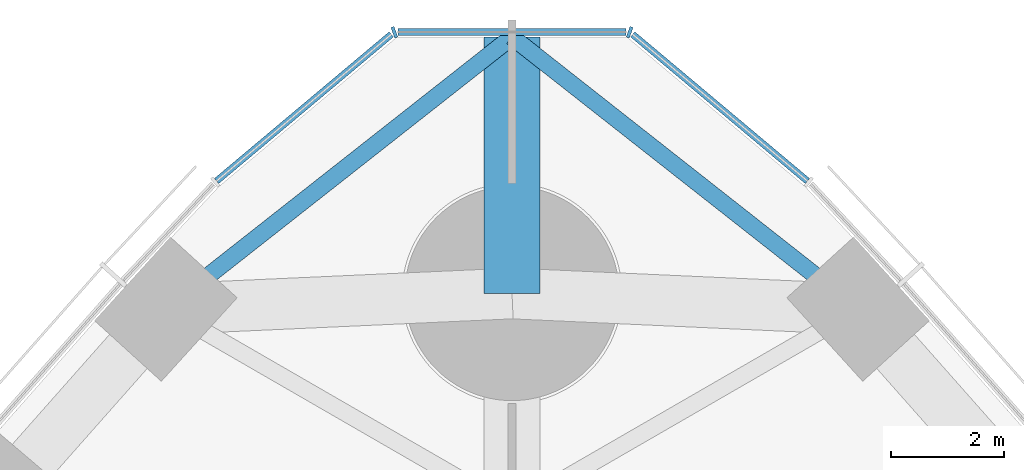
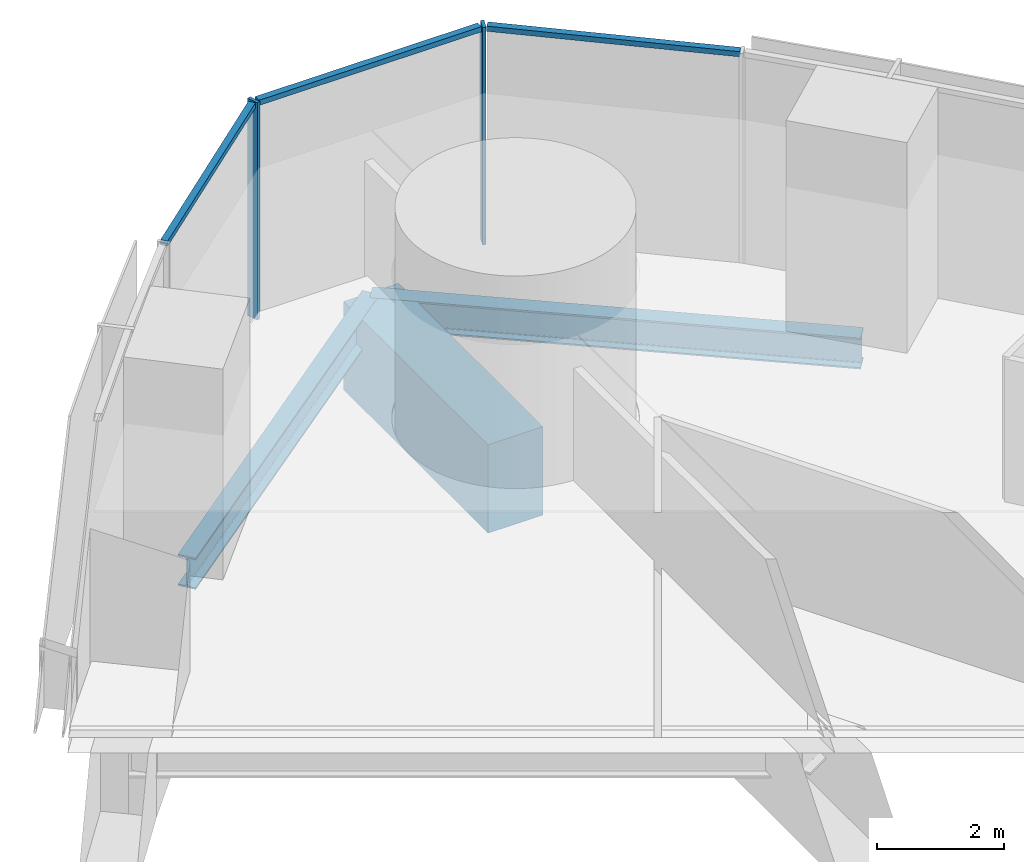
# One storey, part 8 of 19: 5 members, 3 beams, 1 element without a shape of its own.
"""IFC4 building model written with IfcOpenShell, lengths in metres."""

import ifcopenshell
import ifcopenshell.guid

model = None  # the IFC model being written
_history = None  # IfcOwnerHistory: only IFC2X3 demands one
_inside = {}  # id of a spatial element -> (the spatial element, [elements in it])
_under = {}  # id of a project, library or spatial element -> (it, [spatial elements below it])
_declared = {}  # id of a project -> (the project, [libraries it declares])
_typed = {}  # id of a type object -> (the type object, [elements of that type])
_made_of = {}  # id of a material, layer set ... -> (it, [elements and type objects made of it])


def new_model(schema):
    """Start an empty IFC model of exactly this schema.

    Asked for "IFC4X3", IfcOpenShell would pick the latest addendum, in which some entities
    have other attributes; the version numbers below select the first issue.
    IFC2X3 requires an IfcOwnerHistory on every rooted entity: one is made here for all.
    """
    global model, _history
    if schema == "IFC4X3":
        model = ifcopenshell.file(schema_version=(4, 3, 0, 0))
    else:
        model = ifcopenshell.file(schema=schema)
    _inside.clear()
    _under.clear()
    _declared.clear()
    _typed.clear()
    _made_of.clear()
    _history = None
    if model.schema == "IFC2X3":
        org = make("IfcOrganization", Name="unknown")
        user = make(
            "IfcPersonAndOrganization",
            ThePerson=make("IfcPerson", FamilyName="unknown"),
            TheOrganization=org,
        )
        app = make(
            "IfcApplication",
            ApplicationDeveloper=org,
            Version="unknown",
            ApplicationFullName="unknown",
            ApplicationIdentifier="unknown",
        )
        _history = make(
            "IfcOwnerHistory",
            OwningUser=user,
            OwningApplication=app,
            ChangeAction="ADDED",
            CreationDate=0,
        )
    return model


def make(cls, **values):
    """One entity of the class cls with the attributes given. An attribute that is None is left unset."""
    return model.create_entity(
        cls, **{name: value for name, value in values.items() if value is not None}
    )


def rooted(cls, **values):
    """An entity with a GlobalId (a new one), such as an element, a storey or a relation."""
    return make(cls, GlobalId=ifcopenshell.guid.new(), OwnerHistory=_history, **values)


def si_unit(unit_type, name, prefix=None):
    """IfcSIUnit, for example si_unit("LENGTHUNIT", "METRE", prefix="MILLI")."""
    return make("IfcSIUnit", UnitType=unit_type, Prefix=prefix, Name=name)


def assignment(units):
    """IfcUnitAssignment: the units of a project."""
    return None if units is None else make("IfcUnitAssignment", Units=units)


def point(xyz):
    """IfcCartesianPoint."""
    return None if xyz is None else make("IfcCartesianPoint", Coordinates=xyz)


def direction(xyz):
    """IfcDirection."""
    return None if xyz is None else make("IfcDirection", DirectionRatios=xyz)


def frame(location, z_axis=None, x_axis=None):
    """IfcAxis2Placement3D, a coordinate frame: its origin and axes. An axis left out is left unset."""
    return make(
        "IfcAxis2Placement3D",
        Location=point(location),
        Axis=direction(z_axis),
        RefDirection=direction(x_axis),
    )


def frame_2d(location, x_axis=None):
    """IfcAxis2Placement2D, a coordinate frame in the plane: its origin and x axis."""
    return make(
        "IfcAxis2Placement2D", Location=point(location), RefDirection=direction(x_axis)
    )


def origin():
    """The frame at (0, 0, 0) with its axes left unset."""
    return frame((0.0, 0.0, 0.0))


def origin_2d():
    """The frame at (0, 0) in the plane with its x axis left unset."""
    return frame_2d((0.0, 0.0))


def place(relative_to, where):
    """IfcLocalPlacement: puts the frame where relative to a parent placement (None: the world)."""
    return make(
        "IfcLocalPlacement", PlacementRelTo=relative_to, RelativePlacement=where
    )


def context(
    kind, dimensions, precision=None, world=None, true_north=None, identifier=None
):
    """IfcGeometricRepresentationContext, for example the 3D "Model" context."""
    return make(
        "IfcGeometricRepresentationContext",
        ContextIdentifier=identifier,
        ContextType=kind,
        CoordinateSpaceDimension=dimensions,
        Precision=precision,
        WorldCoordinateSystem=world,
        TrueNorth=true_north,
    )


def subcontext(parent, identifier, kind, view, scale=None):
    """IfcGeometricRepresentationSubContext, for example "Body" below "Model"."""
    return make(
        "IfcGeometricRepresentationSubContext",
        ContextIdentifier=identifier,
        ContextType=kind,
        ParentContext=parent,
        TargetScale=scale,
        TargetView=view,
    )


def project(units=None, contexts=None):
    """IfcProject with its units and contexts."""
    return rooted(
        "IfcProject",
        Name="project",
        RepresentationContexts=contexts,
        UnitsInContext=assignment(units),
    )


def spatial(cls, under=None, at=None, **own):
    """A site, building, storey or space (cls), placed at a placement, below another one or the project."""
    s = rooted(cls, ObjectPlacement=at, **own)
    if under is not None:
        _under.setdefault(under.id(), (under, []))[1].append(s)
    return s


def profile(cls, at=None, kind="AREA", **sizes):
    """A parametric profile (cls). Its sizes go by their IFC names, for example OverallWidth=200.0."""
    return make(cls, ProfileType=kind, Position=at, **sizes)


def rectangle(**sizes):
    """IfcRectangleProfileDef."""
    return profile("IfcRectangleProfileDef", **sizes)


def i_section(**sizes):
    """IfcIShapeProfileDef."""
    return profile("IfcIShapeProfileDef", **sizes)


def extrude(swept, where, along, depth):
    """IfcExtrudedAreaSolid: the profile swept, set in the frame where, extruded along a direction by depth."""
    return make(
        "IfcExtrudedAreaSolid",
        SweptArea=swept,
        Position=where,
        ExtrudedDirection=direction(along),
        Depth=depth,
    )


def shape(context_of_items, identifier, shape_type, items):
    """IfcShapeRepresentation: the items that make up one representation, for example the "Body"."""
    return make(
        "IfcShapeRepresentation",
        ContextOfItems=context_of_items,
        RepresentationIdentifier=identifier,
        RepresentationType=shape_type,
        Items=items,
    )


def material(Name=None, Category=None):
    """IfcMaterial."""
    return make("IfcMaterial", Name=Name, Category=Category)


def material_profile(
    of_material, cross_section, Name=None, Category=None, Priority=None
):
    """IfcMaterialProfile: a cross section and its material."""
    return make(
        "IfcMaterialProfile",
        Name=Name,
        Material=of_material,
        Profile=cross_section,
        Priority=Priority,
        Category=Category,
    )


def profile_set(profiles, Name=None, composite=None):
    """IfcMaterialProfileSet."""
    return make(
        "IfcMaterialProfileSet",
        Name=Name,
        MaterialProfiles=profiles,
        CompositeProfile=composite,
    )


def made_of(thing, what):
    """Note that an element or type object is made of a material, layer set ...; save() writes the relation."""
    if what is not None:
        _made_of.setdefault(what.id(), (what, []))[1].append(thing)
    return thing


def type_object(cls, material=None, **own):
    """A type object (cls), such as IfcWallType, which elements share."""
    return made_of(rooted(cls, **own), material)


def element(
    cls,
    number,
    at=None,
    inside=None,
    cuts=None,
    type_object=None,
    material=None,
    context=None,
    identifier="Body",
    shape_type=None,
    held_by="IfcProductDefinitionShape",
    body=None,
    shapes=None,
    **own,
):
    """One element of the class cls, such as IfcWall. Its Tag is "e" and its number.

    at: its placement. inside: the storey or other place that contains it. cuts: it is an
    opening in that element (IfcRelVoidsElement). A single representation is given by context,
    identifier, shape_type and body (its items); several are given by shapes. held_by: the class
    of the entity that holds the representations. save() writes the other relations.
    """
    e = rooted(cls, Tag="e%d" % number, ObjectPlacement=at, **own)
    if body is not None:
        shapes = [shape(context, identifier, shape_type, body)]
    if shapes is not None:
        e.Representation = make(held_by, Representations=shapes)
    if inside is not None:
        _inside.setdefault(inside.id(), (inside, []))[1].append(e)
    if cuts is not None:
        rooted(
            "IfcRelVoidsElement", RelatingBuildingElement=cuts, RelatedOpeningElement=e
        )
    if type_object is not None:
        _typed.setdefault(type_object.id(), (type_object, []))[1].append(e)
    return made_of(e, material)


def aggregate(whole, parts):
    """IfcRelAggregates: a whole, such as a stair, and the parts it consists of."""
    return rooted("IfcRelAggregates", RelatingObject=whole, RelatedObjects=parts)


def save(model, path):
    """Write the relations noted so far, then the file.

    IfcRelAggregates (storeys below a building ...), IfcRelContainedInSpatialStructure (elements
    in a storey), IfcRelDefinesByType, IfcRelAssociatesMaterial and IfcRelDeclares: one each for
    every whole, place, type object, material and project.
    """
    for whole, parts in _under.values():
        aggregate(whole, parts)
    for where, things in _inside.values():
        rooted(
            "IfcRelContainedInSpatialStructure",
            RelatedElements=things,
            RelatingStructure=where,
        )
    for kind, things in _typed.values():
        rooted("IfcRelDefinesByType", RelatedObjects=things, RelatingType=kind)
    for what, things in _made_of.values():
        rooted("IfcRelAssociatesMaterial", RelatedObjects=things, RelatingMaterial=what)
    for by, libraries in _declared.values():
        rooted("IfcRelDeclares", RelatingContext=by, RelatedDefinitions=libraries)
    model.write(path)


model = new_model("IFC4")

# Units and contexts
model_context = context("Model", 3, precision=1e-05, world=origin(), true_north=direction((0.0, 1.0)))
body_context = subcontext(model_context, "Body", "Model", "MODEL_VIEW")
ifc_project = project(units=[si_unit("LENGTHUNIT", "METRE"), si_unit("AREAUNIT", "SQUARE_METRE"), si_unit("VOLUMEUNIT", "CUBIC_METRE"), si_unit("PLANEANGLEUNIT", "RADIAN"), si_unit("MASSUNIT", "GRAM", prefix="KILO")], contexts=[model_context])

# Site, building, storey
site_placement = place(None, origin())
site = spatial("IfcSite", under=ifc_project, at=site_placement, CompositionType="ELEMENT")
building_placement = place(site_placement, origin())
building = spatial("IfcBuilding", under=site, at=building_placement, Name="Trefoil Bronze Tower", CompositionType="ELEMENT")
storey_placement = place(building_placement, frame((0.0, 0.0, 166.10009765625)))
storey = spatial("IfcBuildingStorey", under=building, at=storey_placement, Name="L38", CompositionType="ELEMENT", Elevation=166.10009765625)

# Curtain wall, members
ifc_material_1 = material(Name="Tinted solar-control glass", Category="glass")
curtain_wall_type = type_object("IfcCurtainWallType", Name="Bronze rounded corner curtain wall", PredefinedType="USERDEFINED", material=ifc_material_1)
curtain_wall_placement = place(storey_placement, origin())
curtain_wall = element("IfcCurtainWall", 1, at=curtain_wall_placement, inside=storey, type_object=curtain_wall_type, Name="CW-B L38 K2", ObjectType="CURTAIN WALL", PredefinedType="USERDEFINED")
ifc_material_2 = material(Name="Bronze-finish aluminium", Category="aluminium")
ifc_material_profile_1 = material_profile(ifc_material_2, rectangle(XDim=0.199951171875, YDim=0.06005859375, at=origin_2d()), Name="CW-B mullion")
ifc_profile_set_1 = profile_set([ifc_material_profile_1], Name="Bronze-finish aluminium")
member_type_1 = type_object("IfcMemberType", Name="Bronze rounded corner curtain wall mullion", PredefinedType="MULLION", material=ifc_profile_set_1)
member_1_placement = place(storey_placement, frame((2.08642578125, 39.631591796875, 0.0), z_axis=(0.0, 0.0, 1.0), x_axis=(-0.342020143326, -0.939692620786, 0.0)))
member_1 = element("IfcMember", 2, at=member_1_placement, type_object=member_type_1, Name="CW-B L38 K2 mullion 2", PredefinedType="MULLION", context=body_context, shape_type="SweptSolid", body=[
    extrude(rectangle(XDim=0.199951171875, YDim=0.06005859375, at=origin_2d()), origin(), (0.0, 0.0, 1.0), 4.179931640625),
])
member_2_placement = place(storey_placement, frame((-2.08642578125, 39.631591796875, 0.0), z_axis=(0.0, 0.0, 1.0), x_axis=(0.342020143326, -0.939692620786, 0.0)))
member_2 = element("IfcMember", 3, at=member_2_placement, type_object=member_type_1, Name="CW-B L38 K2 mullion 3", PredefinedType="MULLION", context=body_context, shape_type="SweptSolid", body=[
    extrude(rectangle(XDim=0.199951171875, YDim=0.06005859375, at=origin_2d()), origin(), (0.0, 0.0, 1.0), 4.179931640625),
])
ifc_material_3 = material(Name="Bronze-finish aluminium", Category="aluminium")
ifc_material_profile_2 = material_profile(ifc_material_3, rectangle(XDim=0.1201171875, YDim=0.10009765625, at=origin_2d()), Name="CW-B transom")
ifc_profile_set_2 = profile_set([ifc_material_profile_2], Name="Bronze-finish aluminium")
member_type_2 = type_object("IfcMemberType", Name="Bronze rounded corner curtain wall transom", PredefinedType="USERDEFINED", material=ifc_profile_set_2)
member_3_placement = place(storey_placement, frame((5.237548828125, 36.9951171875, 4.1298828125), z_axis=(-0.766049624684, 0.642781434487, 0.0), x_axis=(-0.642781434487, -0.766049624684, 0.0)))
member_3 = element("IfcMember", 4, at=member_3_placement, type_object=member_type_2, Name="CW-B L38 K2 transom 1", ObjectType="TRANSOM", PredefinedType="USERDEFINED", context=body_context, shape_type="SweptSolid", body=[
    extrude(rectangle(XDim=0.1201171875, YDim=0.10009765625, at=origin_2d()), origin(), (0.0, 0.0, 1.0), 4.04443359375),
])
member_4_placement = place(storey_placement, frame((2.022216796875, 39.637451171875, 4.1298828125), z_axis=(-1.0, 0.0, 0.0), x_axis=(0.0, -1.0, 0.0)))
member_4 = element("IfcMember", 5, at=member_4_placement, type_object=member_type_2, Name="CW-B L38 K2 transom 2", ObjectType="TRANSOM", PredefinedType="USERDEFINED", context=body_context, shape_type="SweptSolid", body=[
    extrude(rectangle(XDim=0.1201171875, YDim=0.10009765625, at=origin_2d()), origin(), (0.0, 0.0, 1.0), 4.04443359375),
])
member_5_placement = place(storey_placement, frame((-2.139404296875, 39.5947265625, 4.1298828125), z_axis=(-0.766049624684, -0.642781434487, 0.0), x_axis=(0.642781434487, -0.766049624684, 0.0)))
member_5 = element("IfcMember", 6, at=member_5_placement, type_object=member_type_2, Name="CW-B L38 K2 transom 3", ObjectType="TRANSOM", PredefinedType="USERDEFINED", context=body_context, shape_type="SweptSolid", body=[
    extrude(rectangle(XDim=0.1201171875, YDim=0.10009765625, at=origin_2d()), origin(), (0.0, 0.0, 1.0), 4.04443359375),
])
aggregate(curtain_wall, [member_1, member_2, member_3, member_4, member_5])

# Beams
ifc_material_4 = material(Name="Concrete B80", Category="concrete")
ifc_material_profile_3 = material_profile(ifc_material_4, rectangle(XDim=1.0, YDim=1.699951171875, at=origin_2d()), Name="RC 1000x1700")
ifc_profile_set_3 = profile_set([ifc_material_profile_3], Name="Concrete B80")
beam_type_1 = type_object("IfcBeamType", Name="Corner cantilever RC 1000x1700", PredefinedType="BEAM", material=ifc_profile_set_3)
beam_placement = place(storey_placement, frame((0.0, 35.0, -1.050048828125), z_axis=(0.0, 1.0, 0.0), x_axis=(-1.0, 0.0, 0.0)))
element("IfcBeam", 7, at=beam_placement, inside=storey, type_object=beam_type_1, Name="Corner cantilever K2 L38", PredefinedType="BEAM", context=body_context, shape_type="SweptSolid", body=[
    extrude(rectangle(XDim=1.0, YDim=1.699951171875, at=origin_2d()), origin(), (0.0, 0.0, 1.0), 4.54931640625),
])
ifc_material_5 = material(Name="Steel C355", Category="steel")
ifc_material_profile_4 = material_profile(ifc_material_5, i_section(OverallWidth=0.300048828125, OverallDepth=0.60009765625, WebThickness=0.015380859375, FlangeThickness=0.030029296875, FilletRadius=0.027099609375, at=origin_2d()), Name="HEB 600")
ifc_profile_set_4 = profile_set([ifc_material_profile_4], Name="Steel C355")
beam_type_2 = type_object("IfcBeamType", Name="Corner edge beam HEB 600", PredefinedType="BEAM", material=ifc_profile_set_4)
for number, where, z_axis, x_axis, name in (
    (8, (6.13916015625, 34.72119140625, -0.5), (-0.786038406433, 0.61817766347, 0.0), (-0.61817766347, -0.786038406433, 0.0), "Corner edge beam F2A L38"),
    (9, (-6.13916015625, 34.72119140625, -0.5), (0.786038406433, 0.61817766347, 0.0), (-0.61817766347, 0.786038406433, 0.0), "Corner edge beam F3B L38"),
):
    element("IfcBeam", number, at=place(storey_placement, frame(where, z_axis=z_axis, x_axis=x_axis)), inside=storey, type_object=beam_type_2, Name=name, PredefinedType="BEAM", context=body_context, shape_type="SweptSolid", body=[
        extrude(i_section(OverallWidth=0.300048828125, OverallDepth=0.60009765625, WebThickness=0.015380859375, FlangeThickness=0.030029296875, FilletRadius=0.027099609375, at=origin_2d()), origin(), (0.0, 0.0, 1.0), 7.810302734375),
    ])

save(model, "model.ifc")
